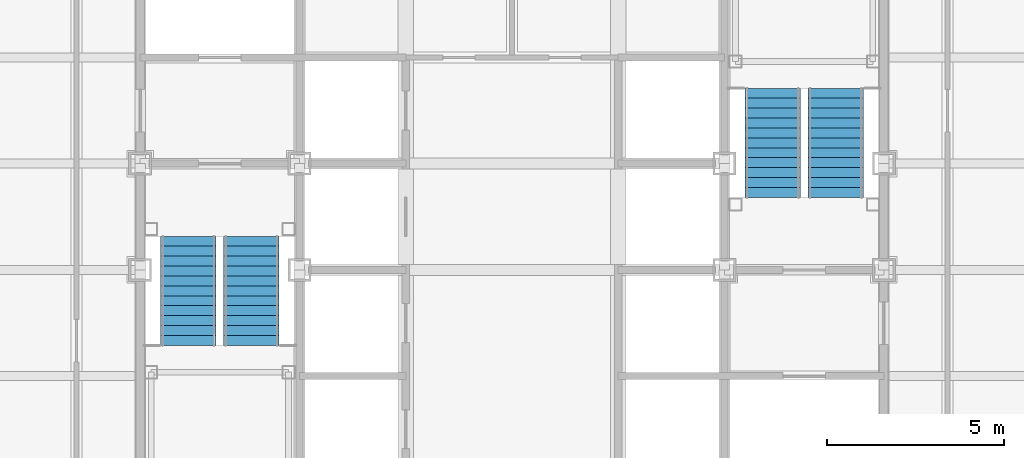
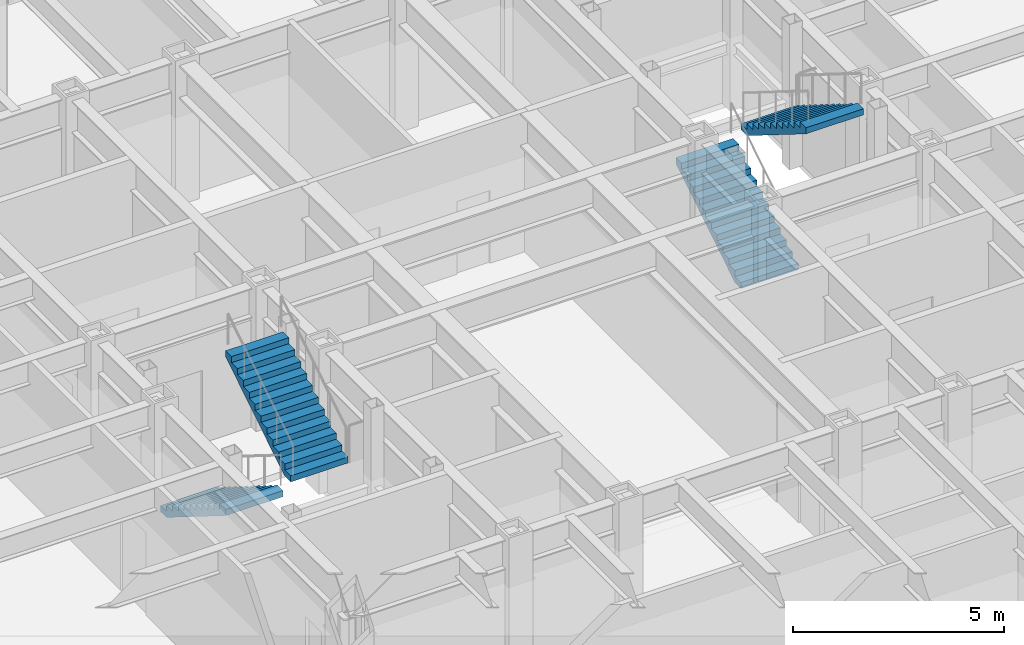
# One storey, part 13 of 16: 4 stair flights, 2 elements without a shape of their own.
"""IFC4 building model written with IfcOpenShell, lengths in metres."""

from ifc_helpers import new_model, si_unit, direction, frame, origin, place, context, subcontext, project, spatial, faceted_brep, material, type_object, element, aggregate, save


model = new_model("IFC4")

# Units and contexts
model_context = context("Model", 3, precision=1e-05, world=origin(), true_north=direction((0.0, 1.0)))
body_context = subcontext(model_context, "Body", "Model", "MODEL_VIEW")
ifc_project = project(units=[si_unit("LENGTHUNIT", "METRE"), si_unit("AREAUNIT", "SQUARE_METRE"), si_unit("VOLUMEUNIT", "CUBIC_METRE"), si_unit("PLANEANGLEUNIT", "RADIAN"), si_unit("MASSUNIT", "GRAM", prefix="KILO")], contexts=[model_context])

# Site, building, storey
site_placement = place(None, origin())
site = spatial("IfcSite", under=ifc_project, at=site_placement, CompositionType="ELEMENT")
building_placement = place(site_placement, origin())
building = spatial("IfcBuilding", under=site, at=building_placement, Name="Chuquiago Exchange Tower", CompositionType="ELEMENT")
storey_placement = place(building_placement, frame((0.0, 0.0, 157.199951171875)))
storey = spatial("IfcBuildingStorey", under=building, at=storey_placement, Name="L34", CompositionType="ELEMENT", Elevation=157.199951171875)

# Stair, stair flights
ifc_material_1 = material(Name="Concrete C30/37, precast", Category="concrete")
stair_type_1 = type_object("IfcStairType", Name="ST1 half-turn stair 4200", PredefinedType="HALF_TURN_STAIR", material=ifc_material_1)
stair_1_placement = place(storey_placement, origin())
stair_1 = element("IfcStair", 1, at=stair_1_placement, inside=storey, type_object=stair_type_1, Name="Stair ST1 L34", PredefinedType="HALF_TURN_STAIR")
ifc_material_2 = material(Name="Concrete C30/37, precast", Category="concrete")
stair_flight_type = type_object("IfcStairFlightType", Name="ST-F flight 1570 for 4200 storey", PredefinedType="STRAIGHT", material=ifc_material_2)
stair_flight_1_placement = place(storey_placement, frame((13.360107421875, 21.949951171875, 0.0), z_axis=(0.0, 0.0, 1.0), x_axis=(0.0, -1.0, 0.0)))
stair_flight_1 = element("IfcStairFlight", 2, at=stair_flight_1_placement, type_object=stair_flight_type, Name="ST1 flight 1", NumberOfRisers=12, NumberOfTreads=11, PredefinedType="STRAIGHT", RiserHeight=0.175, TreadLength=0.28, context=body_context, shape_type="Brep", body=[
    faceted_brep([(0.0, 0.78515625, 0.0), (0.0, 0.78515625, 0.175048828125), (0.280029296875, 0.78515625, 0.175048828125), (0.280029296875, 0.78515625, 0.35009765625), (0.56005859375, 0.78515625, 0.35009765625), (0.56005859375, 0.78515625, 0.52490234375), (0.840087890625, 0.78515625, 0.52490234375), (0.840087890625, 0.78515625, 0.699951171875), (1.1201171875, 0.78515625, 0.699951171875), (1.1201171875, 0.78515625, 0.875), (1.39990234375, 0.78515625, 0.875), (1.39990234375, 0.78515625, 1.050048828125), (1.679931640625, 0.78515625, 1.050048828125), (1.679931640625, 0.78515625, 1.22509765625), (1.9599609375, 0.78515625, 1.22509765625), (1.9599609375, 0.78515625, 1.39990234375), (2.239990234375, 0.78515625, 1.39990234375), (2.239990234375, 0.78515625, 1.574951171875), (2.52001953125, 0.78515625, 1.574951171875), (2.52001953125, 0.78515625, 1.75), (2.800048828125, 0.78515625, 1.75), (2.800048828125, 0.78515625, 1.925048828125), (3.080078125, 0.78515625, 1.925048828125), (3.080078125, 0.78515625, 1.748291015625), (0.28271484375, 0.78515625, 0.0), (0.28271484375, -0.78515625, 0.0), (3.080078125, -0.78515625, 1.748291015625), (3.080078125, -0.78515625, 1.925048828125), (2.800048828125, -0.78515625, 1.925048828125), (2.800048828125, -0.78515625, 1.75), (2.52001953125, -0.78515625, 1.75), (2.52001953125, -0.78515625, 1.574951171875), (2.239990234375, -0.78515625, 1.574951171875), (2.239990234375, -0.78515625, 1.39990234375), (1.9599609375, -0.78515625, 1.39990234375), (1.9599609375, -0.78515625, 1.22509765625), (1.679931640625, -0.78515625, 1.22509765625), (1.679931640625, -0.78515625, 1.050048828125), (1.39990234375, -0.78515625, 1.050048828125), (1.39990234375, -0.78515625, 0.875), (1.1201171875, -0.78515625, 0.875), (1.1201171875, -0.78515625, 0.699951171875), (0.840087890625, -0.78515625, 0.699951171875), (0.840087890625, -0.78515625, 0.52490234375), (0.56005859375, -0.78515625, 0.52490234375), (0.56005859375, -0.78515625, 0.35009765625), (0.280029296875, -0.78515625, 0.35009765625), (0.280029296875, -0.78515625, 0.175048828125), (0.0, -0.78515625, 0.175048828125), (0.0, -0.78515625, 0.0), (0.0, 0.392578125, 0.0), (0.0, 0.392578125, 0.175048828125), (0.0, 0.0, 0.0), (0.0, 0.0, 0.175048828125), (0.0, -0.392578125, 0.0), (0.0, -0.392578125, 0.175048828125), (0.280029296875, 0.392578125, 0.175048828125), (0.280029296875, 0.0, 0.175048828125), (0.280029296875, -0.392578125, 0.175048828125), (0.280029296875, 0.392578125, 0.35009765625), (0.280029296875, 0.0, 0.35009765625), (0.280029296875, -0.392578125, 0.35009765625), (0.56005859375, 0.392578125, 0.35009765625), (0.56005859375, 0.0, 0.35009765625), (0.56005859375, -0.392578125, 0.35009765625), (0.56005859375, 0.392578125, 0.52490234375), (0.56005859375, 0.0, 0.52490234375), (0.56005859375, -0.392578125, 0.52490234375), (0.840087890625, 0.392578125, 0.52490234375), (0.840087890625, 0.0, 0.52490234375), (0.840087890625, -0.392578125, 0.52490234375), (0.840087890625, 0.392578125, 0.699951171875), (0.840087890625, 0.0, 0.699951171875), (0.840087890625, -0.392578125, 0.699951171875), (1.1201171875, 0.392578125, 0.699951171875), (1.1201171875, 0.0, 0.699951171875), (1.1201171875, -0.392578125, 0.699951171875), (1.1201171875, 0.392578125, 0.875), (1.1201171875, 0.0, 0.875), (1.1201171875, -0.392578125, 0.875), (1.39990234375, 0.392578125, 0.875), (1.39990234375, 0.0, 0.875), (1.39990234375, -0.392578125, 0.875), (1.39990234375, 0.392578125, 1.050048828125), (1.39990234375, 0.0, 1.050048828125), (1.39990234375, -0.392578125, 1.050048828125), (1.679931640625, 0.392578125, 1.050048828125), (1.679931640625, 0.0, 1.050048828125), (1.679931640625, -0.392578125, 1.050048828125), (1.679931640625, 0.392578125, 1.22509765625), (1.679931640625, 0.0, 1.22509765625), (1.679931640625, -0.392578125, 1.22509765625), (1.9599609375, 0.392578125, 1.22509765625), (1.9599609375, 0.0, 1.22509765625), (1.9599609375, -0.392578125, 1.22509765625), (1.9599609375, 0.392578125, 1.39990234375), (1.9599609375, 0.0, 1.39990234375), (1.9599609375, -0.392578125, 1.39990234375), (2.239990234375, 0.392578125, 1.39990234375), (2.239990234375, 0.0, 1.39990234375), (2.239990234375, -0.392578125, 1.39990234375), (2.239990234375, 0.392578125, 1.574951171875), (2.239990234375, 0.0, 1.574951171875), (2.239990234375, -0.392578125, 1.574951171875), (2.52001953125, 0.392578125, 1.574951171875), (2.52001953125, 0.0, 1.574951171875), (2.52001953125, -0.392578125, 1.574951171875), (2.52001953125, 0.392578125, 1.75), (2.52001953125, 0.0, 1.75), (2.52001953125, -0.392578125, 1.75), (2.800048828125, 0.392578125, 1.75), (2.800048828125, 0.0, 1.75), (2.800048828125, -0.392578125, 1.75), (2.800048828125, 0.392578125, 1.925048828125), (2.800048828125, 0.0, 1.925048828125), (2.800048828125, -0.392578125, 1.925048828125), (3.080078125, 0.392578125, 1.925048828125), (3.080078125, 0.0, 1.925048828125), (3.080078125, -0.392578125, 1.925048828125), (3.080078125, 0.392578125, 1.748291015625), (3.080078125, 0.0, 1.748291015625), (3.080078125, -0.392578125, 1.748291015625), (0.28271484375, 0.392578125, 0.0), (0.28271484375, 0.0, 0.0), (0.28271484375, -0.392578125, 0.0)], [[[0, 1, 2, 3, 4, 5, 6, 7, 8, 9, 10, 11, 12, 13, 14, 15, 16, 17, 18, 19, 20, 21, 22, 23, 24]], [[25, 26, 27, 28, 29, 30, 31, 32, 33, 34, 35, 36, 37, 38, 39, 40, 41, 42, 43, 44, 45, 46, 47, 48, 49]], [[1, 0, 50, 51]], [[51, 50, 52, 53]], [[53, 52, 54, 55]], [[55, 54, 49, 48]], [[2, 1, 51, 56]], [[56, 51, 53, 57]], [[57, 53, 55, 58]], [[58, 55, 48, 47]], [[3, 2, 56, 59]], [[59, 56, 57, 60]], [[60, 57, 58, 61]], [[61, 58, 47, 46]], [[4, 3, 59, 62]], [[62, 59, 60, 63]], [[63, 60, 61, 64]], [[64, 61, 46, 45]], [[5, 4, 62, 65]], [[65, 62, 63, 66]], [[66, 63, 64, 67]], [[67, 64, 45, 44]], [[6, 5, 65, 68]], [[68, 65, 66, 69]], [[69, 66, 67, 70]], [[70, 67, 44, 43]], [[7, 6, 68, 71]], [[71, 68, 69, 72]], [[72, 69, 70, 73]], [[73, 70, 43, 42]], [[8, 7, 71, 74]], [[74, 71, 72, 75]], [[75, 72, 73, 76]], [[76, 73, 42, 41]], [[9, 8, 74, 77]], [[77, 74, 75, 78]], [[78, 75, 76, 79]], [[79, 76, 41, 40]], [[10, 9, 77, 80]], [[80, 77, 78, 81]], [[81, 78, 79, 82]], [[82, 79, 40, 39]], [[11, 10, 80, 83]], [[83, 80, 81, 84]], [[84, 81, 82, 85]], [[85, 82, 39, 38]], [[12, 11, 83, 86]], [[86, 83, 84, 87]], [[87, 84, 85, 88]], [[88, 85, 38, 37]], [[13, 12, 86, 89]], [[89, 86, 87, 90]], [[90, 87, 88, 91]], [[91, 88, 37, 36]], [[14, 13, 89, 92]], [[92, 89, 90, 93]], [[93, 90, 91, 94]], [[94, 91, 36, 35]], [[15, 14, 92, 95]], [[95, 92, 93, 96]], [[96, 93, 94, 97]], [[97, 94, 35, 34]], [[16, 15, 95, 98]], [[98, 95, 96, 99]], [[99, 96, 97, 100]], [[100, 97, 34, 33]], [[17, 16, 98, 101]], [[101, 98, 99, 102]], [[102, 99, 100, 103]], [[103, 100, 33, 32]], [[18, 17, 101, 104]], [[104, 101, 102, 105]], [[105, 102, 103, 106]], [[106, 103, 32, 31]], [[19, 18, 104, 107]], [[107, 104, 105, 108]], [[108, 105, 106, 109]], [[109, 106, 31, 30]], [[20, 19, 107, 110]], [[110, 107, 108, 111]], [[111, 108, 109, 112]], [[112, 109, 30, 29]], [[21, 20, 110, 113]], [[113, 110, 111, 114]], [[114, 111, 112, 115]], [[115, 112, 29, 28]], [[22, 21, 113, 116]], [[116, 113, 114, 117]], [[117, 114, 115, 118]], [[118, 115, 28, 27]], [[23, 22, 116, 119]], [[119, 116, 117, 120]], [[120, 117, 118, 121]], [[121, 118, 27, 26]], [[24, 23, 119, 122]], [[122, 119, 120, 123]], [[123, 120, 121, 124]], [[124, 121, 26, 25]], [[0, 24, 122, 50]], [[50, 122, 123, 52]], [[52, 123, 124, 54]], [[54, 124, 25, 49]]]),
])
stair_flight_2_placement = place(storey_placement, frame((15.139892578125, 18.8701171875, 2.10009765625), z_axis=(0.0, 0.0, 1.0), x_axis=(0.0, 1.0, 0.0)))
stair_flight_2 = element("IfcStairFlight", 3, at=stair_flight_2_placement, type_object=stair_flight_type, Name="ST1 flight 2", NumberOfRisers=12, NumberOfTreads=11, PredefinedType="STRAIGHT", RiserHeight=0.175, TreadLength=0.28, context=body_context, shape_type="Brep", body=[
    faceted_brep([(0.0, 0.78515625, 0.0), (0.0, 0.78515625, 0.175048828125), (0.280029296875, 0.78515625, 0.175048828125), (0.280029296875, 0.78515625, 0.35009765625), (0.56005859375, 0.78515625, 0.35009765625), (0.56005859375, 0.78515625, 0.52490234375), (0.840087890625, 0.78515625, 0.52490234375), (0.840087890625, 0.78515625, 0.699951171875), (1.1201171875, 0.78515625, 0.699951171875), (1.1201171875, 0.78515625, 0.875), (1.39990234375, 0.78515625, 0.875), (1.39990234375, 0.78515625, 1.050048828125), (1.679931640625, 0.78515625, 1.050048828125), (1.679931640625, 0.78515625, 1.22509765625), (1.9599609375, 0.78515625, 1.22509765625), (1.9599609375, 0.78515625, 1.39990234375), (2.239990234375, 0.78515625, 1.39990234375), (2.239990234375, 0.78515625, 1.574951171875), (2.52001953125, 0.78515625, 1.574951171875), (2.52001953125, 0.78515625, 1.75), (2.800048828125, 0.78515625, 1.75), (2.800048828125, 0.78515625, 1.925048828125), (3.080078125, 0.78515625, 1.925048828125), (3.080078125, 0.78515625, 1.748291015625), (0.28271484375, 0.78515625, 0.0), (0.28271484375, -0.78515625, 0.0), (3.080078125, -0.78515625, 1.748291015625), (3.080078125, -0.78515625, 1.925048828125), (2.800048828125, -0.78515625, 1.925048828125), (2.800048828125, -0.78515625, 1.75), (2.52001953125, -0.78515625, 1.75), (2.52001953125, -0.78515625, 1.574951171875), (2.239990234375, -0.78515625, 1.574951171875), (2.239990234375, -0.78515625, 1.39990234375), (1.9599609375, -0.78515625, 1.39990234375), (1.9599609375, -0.78515625, 1.22509765625), (1.679931640625, -0.78515625, 1.22509765625), (1.679931640625, -0.78515625, 1.050048828125), (1.39990234375, -0.78515625, 1.050048828125), (1.39990234375, -0.78515625, 0.875), (1.1201171875, -0.78515625, 0.875), (1.1201171875, -0.78515625, 0.699951171875), (0.840087890625, -0.78515625, 0.699951171875), (0.840087890625, -0.78515625, 0.52490234375), (0.56005859375, -0.78515625, 0.52490234375), (0.56005859375, -0.78515625, 0.35009765625), (0.280029296875, -0.78515625, 0.35009765625), (0.280029296875, -0.78515625, 0.175048828125), (0.0, -0.78515625, 0.175048828125), (0.0, -0.78515625, 0.0), (0.0, 0.392578125, 0.0), (0.0, 0.392578125, 0.175048828125), (0.0, 0.0, 0.0), (0.0, 0.0, 0.175048828125), (0.0, -0.392578125, 0.0), (0.0, -0.392578125, 0.175048828125), (0.280029296875, 0.392578125, 0.175048828125), (0.280029296875, 0.0, 0.175048828125), (0.280029296875, -0.392578125, 0.175048828125), (0.280029296875, 0.392578125, 0.35009765625), (0.280029296875, 0.0, 0.35009765625), (0.280029296875, -0.392578125, 0.35009765625), (0.56005859375, 0.392578125, 0.35009765625), (0.56005859375, 0.0, 0.35009765625), (0.56005859375, -0.392578125, 0.35009765625), (0.56005859375, 0.392578125, 0.52490234375), (0.56005859375, 0.0, 0.52490234375), (0.56005859375, -0.392578125, 0.52490234375), (0.840087890625, 0.392578125, 0.52490234375), (0.840087890625, 0.0, 0.52490234375), (0.840087890625, -0.392578125, 0.52490234375), (0.840087890625, 0.392578125, 0.699951171875), (0.840087890625, 0.0, 0.699951171875), (0.840087890625, -0.392578125, 0.699951171875), (1.1201171875, 0.392578125, 0.699951171875), (1.1201171875, 0.0, 0.699951171875), (1.1201171875, -0.392578125, 0.699951171875), (1.1201171875, 0.392578125, 0.875), (1.1201171875, 0.0, 0.875), (1.1201171875, -0.392578125, 0.875), (1.39990234375, 0.392578125, 0.875), (1.39990234375, 0.0, 0.875), (1.39990234375, -0.392578125, 0.875), (1.39990234375, 0.392578125, 1.050048828125), (1.39990234375, 0.0, 1.050048828125), (1.39990234375, -0.392578125, 1.050048828125), (1.679931640625, 0.392578125, 1.050048828125), (1.679931640625, 0.0, 1.050048828125), (1.679931640625, -0.392578125, 1.050048828125), (1.679931640625, 0.392578125, 1.22509765625), (1.679931640625, 0.0, 1.22509765625), (1.679931640625, -0.392578125, 1.22509765625), (1.9599609375, 0.392578125, 1.22509765625), (1.9599609375, 0.0, 1.22509765625), (1.9599609375, -0.392578125, 1.22509765625), (1.9599609375, 0.392578125, 1.39990234375), (1.9599609375, 0.0, 1.39990234375), (1.9599609375, -0.392578125, 1.39990234375), (2.239990234375, 0.392578125, 1.39990234375), (2.239990234375, 0.0, 1.39990234375), (2.239990234375, -0.392578125, 1.39990234375), (2.239990234375, 0.392578125, 1.574951171875), (2.239990234375, 0.0, 1.574951171875), (2.239990234375, -0.392578125, 1.574951171875), (2.52001953125, 0.392578125, 1.574951171875), (2.52001953125, 0.0, 1.574951171875), (2.52001953125, -0.392578125, 1.574951171875), (2.52001953125, 0.392578125, 1.75), (2.52001953125, 0.0, 1.75), (2.52001953125, -0.392578125, 1.75), (2.800048828125, 0.392578125, 1.75), (2.800048828125, 0.0, 1.75), (2.800048828125, -0.392578125, 1.75), (2.800048828125, 0.392578125, 1.925048828125), (2.800048828125, 0.0, 1.925048828125), (2.800048828125, -0.392578125, 1.925048828125), (3.080078125, 0.392578125, 1.925048828125), (3.080078125, 0.0, 1.925048828125), (3.080078125, -0.392578125, 1.925048828125), (3.080078125, 0.392578125, 1.748291015625), (3.080078125, 0.0, 1.748291015625), (3.080078125, -0.392578125, 1.748291015625), (0.28271484375, 0.392578125, 0.0), (0.28271484375, 0.0, 0.0), (0.28271484375, -0.392578125, 0.0)], [[[0, 1, 2, 3, 4, 5, 6, 7, 8, 9, 10, 11, 12, 13, 14, 15, 16, 17, 18, 19, 20, 21, 22, 23, 24]], [[25, 26, 27, 28, 29, 30, 31, 32, 33, 34, 35, 36, 37, 38, 39, 40, 41, 42, 43, 44, 45, 46, 47, 48, 49]], [[1, 0, 50, 51]], [[51, 50, 52, 53]], [[53, 52, 54, 55]], [[55, 54, 49, 48]], [[2, 1, 51, 56]], [[56, 51, 53, 57]], [[57, 53, 55, 58]], [[58, 55, 48, 47]], [[3, 2, 56, 59]], [[59, 56, 57, 60]], [[60, 57, 58, 61]], [[61, 58, 47, 46]], [[4, 3, 59, 62]], [[62, 59, 60, 63]], [[63, 60, 61, 64]], [[64, 61, 46, 45]], [[5, 4, 62, 65]], [[65, 62, 63, 66]], [[66, 63, 64, 67]], [[67, 64, 45, 44]], [[6, 5, 65, 68]], [[68, 65, 66, 69]], [[69, 66, 67, 70]], [[70, 67, 44, 43]], [[7, 6, 68, 71]], [[71, 68, 69, 72]], [[72, 69, 70, 73]], [[73, 70, 43, 42]], [[8, 7, 71, 74]], [[74, 71, 72, 75]], [[75, 72, 73, 76]], [[76, 73, 42, 41]], [[9, 8, 74, 77]], [[77, 74, 75, 78]], [[78, 75, 76, 79]], [[79, 76, 41, 40]], [[10, 9, 77, 80]], [[80, 77, 78, 81]], [[81, 78, 79, 82]], [[82, 79, 40, 39]], [[11, 10, 80, 83]], [[83, 80, 81, 84]], [[84, 81, 82, 85]], [[85, 82, 39, 38]], [[12, 11, 83, 86]], [[86, 83, 84, 87]], [[87, 84, 85, 88]], [[88, 85, 38, 37]], [[13, 12, 86, 89]], [[89, 86, 87, 90]], [[90, 87, 88, 91]], [[91, 88, 37, 36]], [[14, 13, 89, 92]], [[92, 89, 90, 93]], [[93, 90, 91, 94]], [[94, 91, 36, 35]], [[15, 14, 92, 95]], [[95, 92, 93, 96]], [[96, 93, 94, 97]], [[97, 94, 35, 34]], [[16, 15, 95, 98]], [[98, 95, 96, 99]], [[99, 96, 97, 100]], [[100, 97, 34, 33]], [[17, 16, 98, 101]], [[101, 98, 99, 102]], [[102, 99, 100, 103]], [[103, 100, 33, 32]], [[18, 17, 101, 104]], [[104, 101, 102, 105]], [[105, 102, 103, 106]], [[106, 103, 32, 31]], [[19, 18, 104, 107]], [[107, 104, 105, 108]], [[108, 105, 106, 109]], [[109, 106, 31, 30]], [[20, 19, 107, 110]], [[110, 107, 108, 111]], [[111, 108, 109, 112]], [[112, 109, 30, 29]], [[21, 20, 110, 113]], [[113, 110, 111, 114]], [[114, 111, 112, 115]], [[115, 112, 29, 28]], [[22, 21, 113, 116]], [[116, 113, 114, 117]], [[117, 114, 115, 118]], [[118, 115, 28, 27]], [[23, 22, 116, 119]], [[119, 116, 117, 120]], [[120, 117, 118, 121]], [[121, 118, 27, 26]], [[24, 23, 119, 122]], [[122, 119, 120, 123]], [[123, 120, 121, 124]], [[124, 121, 26, 25]], [[0, 24, 122, 50]], [[50, 122, 123, 52]], [[52, 123, 124, 54]], [[54, 124, 25, 49]]]),
])
aggregate(stair_1, [stair_flight_1, stair_flight_2])

ifc_material_3 = material(Name="Concrete C30/37, precast", Category="concrete")
stair_type_2 = type_object("IfcStairType", Name="ST2 half-turn stair 4200", PredefinedType="HALF_TURN_STAIR", material=ifc_material_3)
stair_2_placement = place(storey_placement, origin())
stair_2 = element("IfcStair", 4, at=stair_2_placement, inside=storey, type_object=stair_type_2, Name="Stair ST2 L34", PredefinedType="HALF_TURN_STAIR")
stair_flight_3_placement = place(storey_placement, frame((29.860107421875, 23.050048828125, 0.0), z_axis=(0.0, 0.0, 1.0), x_axis=(0.0, 1.0, 0.0)))
stair_flight_3 = element("IfcStairFlight", 5, at=stair_flight_3_placement, type_object=stair_flight_type, Name="ST2 flight 1", NumberOfRisers=12, NumberOfTreads=11, PredefinedType="STRAIGHT", RiserHeight=0.175, TreadLength=0.28, context=body_context, shape_type="Brep", body=[
    faceted_brep([(0.0, 0.78515625, 0.0), (0.0, 0.78515625, 0.175048828125), (0.280029296875, 0.78515625, 0.175048828125), (0.280029296875, 0.78515625, 0.35009765625), (0.56005859375, 0.78515625, 0.35009765625), (0.56005859375, 0.78515625, 0.52490234375), (0.840087890625, 0.78515625, 0.52490234375), (0.840087890625, 0.78515625, 0.699951171875), (1.1201171875, 0.78515625, 0.699951171875), (1.1201171875, 0.78515625, 0.875), (1.39990234375, 0.78515625, 0.875), (1.39990234375, 0.78515625, 1.050048828125), (1.679931640625, 0.78515625, 1.050048828125), (1.679931640625, 0.78515625, 1.22509765625), (1.9599609375, 0.78515625, 1.22509765625), (1.9599609375, 0.78515625, 1.39990234375), (2.239990234375, 0.78515625, 1.39990234375), (2.239990234375, 0.78515625, 1.574951171875), (2.52001953125, 0.78515625, 1.574951171875), (2.52001953125, 0.78515625, 1.75), (2.800048828125, 0.78515625, 1.75), (2.800048828125, 0.78515625, 1.925048828125), (3.080078125, 0.78515625, 1.925048828125), (3.080078125, 0.78515625, 1.748291015625), (0.28271484375, 0.78515625, 0.0), (0.28271484375, -0.78515625, 0.0), (3.080078125, -0.78515625, 1.748291015625), (3.080078125, -0.78515625, 1.925048828125), (2.800048828125, -0.78515625, 1.925048828125), (2.800048828125, -0.78515625, 1.75), (2.52001953125, -0.78515625, 1.75), (2.52001953125, -0.78515625, 1.574951171875), (2.239990234375, -0.78515625, 1.574951171875), (2.239990234375, -0.78515625, 1.39990234375), (1.9599609375, -0.78515625, 1.39990234375), (1.9599609375, -0.78515625, 1.22509765625), (1.679931640625, -0.78515625, 1.22509765625), (1.679931640625, -0.78515625, 1.050048828125), (1.39990234375, -0.78515625, 1.050048828125), (1.39990234375, -0.78515625, 0.875), (1.1201171875, -0.78515625, 0.875), (1.1201171875, -0.78515625, 0.699951171875), (0.840087890625, -0.78515625, 0.699951171875), (0.840087890625, -0.78515625, 0.52490234375), (0.56005859375, -0.78515625, 0.52490234375), (0.56005859375, -0.78515625, 0.35009765625), (0.280029296875, -0.78515625, 0.35009765625), (0.280029296875, -0.78515625, 0.175048828125), (0.0, -0.78515625, 0.175048828125), (0.0, -0.78515625, 0.0), (0.0, 0.392578125, 0.0), (0.0, 0.392578125, 0.175048828125), (0.0, 0.0, 0.0), (0.0, 0.0, 0.175048828125), (0.0, -0.392578125, 0.0), (0.0, -0.392578125, 0.175048828125), (0.280029296875, 0.392578125, 0.175048828125), (0.280029296875, 0.0, 0.175048828125), (0.280029296875, -0.392578125, 0.175048828125), (0.280029296875, 0.392578125, 0.35009765625), (0.280029296875, 0.0, 0.35009765625), (0.280029296875, -0.392578125, 0.35009765625), (0.56005859375, 0.392578125, 0.35009765625), (0.56005859375, 0.0, 0.35009765625), (0.56005859375, -0.392578125, 0.35009765625), (0.56005859375, 0.392578125, 0.52490234375), (0.56005859375, 0.0, 0.52490234375), (0.56005859375, -0.392578125, 0.52490234375), (0.840087890625, 0.392578125, 0.52490234375), (0.840087890625, 0.0, 0.52490234375), (0.840087890625, -0.392578125, 0.52490234375), (0.840087890625, 0.392578125, 0.699951171875), (0.840087890625, 0.0, 0.699951171875), (0.840087890625, -0.392578125, 0.699951171875), (1.1201171875, 0.392578125, 0.699951171875), (1.1201171875, 0.0, 0.699951171875), (1.1201171875, -0.392578125, 0.699951171875), (1.1201171875, 0.392578125, 0.875), (1.1201171875, 0.0, 0.875), (1.1201171875, -0.392578125, 0.875), (1.39990234375, 0.392578125, 0.875), (1.39990234375, 0.0, 0.875), (1.39990234375, -0.392578125, 0.875), (1.39990234375, 0.392578125, 1.050048828125), (1.39990234375, 0.0, 1.050048828125), (1.39990234375, -0.392578125, 1.050048828125), (1.679931640625, 0.392578125, 1.050048828125), (1.679931640625, 0.0, 1.050048828125), (1.679931640625, -0.392578125, 1.050048828125), (1.679931640625, 0.392578125, 1.22509765625), (1.679931640625, 0.0, 1.22509765625), (1.679931640625, -0.392578125, 1.22509765625), (1.9599609375, 0.392578125, 1.22509765625), (1.9599609375, 0.0, 1.22509765625), (1.9599609375, -0.392578125, 1.22509765625), (1.9599609375, 0.392578125, 1.39990234375), (1.9599609375, 0.0, 1.39990234375), (1.9599609375, -0.392578125, 1.39990234375), (2.239990234375, 0.392578125, 1.39990234375), (2.239990234375, 0.0, 1.39990234375), (2.239990234375, -0.392578125, 1.39990234375), (2.239990234375, 0.392578125, 1.574951171875), (2.239990234375, 0.0, 1.574951171875), (2.239990234375, -0.392578125, 1.574951171875), (2.52001953125, 0.392578125, 1.574951171875), (2.52001953125, 0.0, 1.574951171875), (2.52001953125, -0.392578125, 1.574951171875), (2.52001953125, 0.392578125, 1.75), (2.52001953125, 0.0, 1.75), (2.52001953125, -0.392578125, 1.75), (2.800048828125, 0.392578125, 1.75), (2.800048828125, 0.0, 1.75), (2.800048828125, -0.392578125, 1.75), (2.800048828125, 0.392578125, 1.925048828125), (2.800048828125, 0.0, 1.925048828125), (2.800048828125, -0.392578125, 1.925048828125), (3.080078125, 0.392578125, 1.925048828125), (3.080078125, 0.0, 1.925048828125), (3.080078125, -0.392578125, 1.925048828125), (3.080078125, 0.392578125, 1.748291015625), (3.080078125, 0.0, 1.748291015625), (3.080078125, -0.392578125, 1.748291015625), (0.28271484375, 0.392578125, 0.0), (0.28271484375, 0.0, 0.0), (0.28271484375, -0.392578125, 0.0)], [[[0, 1, 2, 3, 4, 5, 6, 7, 8, 9, 10, 11, 12, 13, 14, 15, 16, 17, 18, 19, 20, 21, 22, 23, 24]], [[25, 26, 27, 28, 29, 30, 31, 32, 33, 34, 35, 36, 37, 38, 39, 40, 41, 42, 43, 44, 45, 46, 47, 48, 49]], [[1, 0, 50, 51]], [[51, 50, 52, 53]], [[53, 52, 54, 55]], [[55, 54, 49, 48]], [[2, 1, 51, 56]], [[56, 51, 53, 57]], [[57, 53, 55, 58]], [[58, 55, 48, 47]], [[3, 2, 56, 59]], [[59, 56, 57, 60]], [[60, 57, 58, 61]], [[61, 58, 47, 46]], [[4, 3, 59, 62]], [[62, 59, 60, 63]], [[63, 60, 61, 64]], [[64, 61, 46, 45]], [[5, 4, 62, 65]], [[65, 62, 63, 66]], [[66, 63, 64, 67]], [[67, 64, 45, 44]], [[6, 5, 65, 68]], [[68, 65, 66, 69]], [[69, 66, 67, 70]], [[70, 67, 44, 43]], [[7, 6, 68, 71]], [[71, 68, 69, 72]], [[72, 69, 70, 73]], [[73, 70, 43, 42]], [[8, 7, 71, 74]], [[74, 71, 72, 75]], [[75, 72, 73, 76]], [[76, 73, 42, 41]], [[9, 8, 74, 77]], [[77, 74, 75, 78]], [[78, 75, 76, 79]], [[79, 76, 41, 40]], [[10, 9, 77, 80]], [[80, 77, 78, 81]], [[81, 78, 79, 82]], [[82, 79, 40, 39]], [[11, 10, 80, 83]], [[83, 80, 81, 84]], [[84, 81, 82, 85]], [[85, 82, 39, 38]], [[12, 11, 83, 86]], [[86, 83, 84, 87]], [[87, 84, 85, 88]], [[88, 85, 38, 37]], [[13, 12, 86, 89]], [[89, 86, 87, 90]], [[90, 87, 88, 91]], [[91, 88, 37, 36]], [[14, 13, 89, 92]], [[92, 89, 90, 93]], [[93, 90, 91, 94]], [[94, 91, 36, 35]], [[15, 14, 92, 95]], [[95, 92, 93, 96]], [[96, 93, 94, 97]], [[97, 94, 35, 34]], [[16, 15, 95, 98]], [[98, 95, 96, 99]], [[99, 96, 97, 100]], [[100, 97, 34, 33]], [[17, 16, 98, 101]], [[101, 98, 99, 102]], [[102, 99, 100, 103]], [[103, 100, 33, 32]], [[18, 17, 101, 104]], [[104, 101, 102, 105]], [[105, 102, 103, 106]], [[106, 103, 32, 31]], [[19, 18, 104, 107]], [[107, 104, 105, 108]], [[108, 105, 106, 109]], [[109, 106, 31, 30]], [[20, 19, 107, 110]], [[110, 107, 108, 111]], [[111, 108, 109, 112]], [[112, 109, 30, 29]], [[21, 20, 110, 113]], [[113, 110, 111, 114]], [[114, 111, 112, 115]], [[115, 112, 29, 28]], [[22, 21, 113, 116]], [[116, 113, 114, 117]], [[117, 114, 115, 118]], [[118, 115, 28, 27]], [[23, 22, 116, 119]], [[119, 116, 117, 120]], [[120, 117, 118, 121]], [[121, 118, 27, 26]], [[24, 23, 119, 122]], [[122, 119, 120, 123]], [[123, 120, 121, 124]], [[124, 121, 26, 25]], [[0, 24, 122, 50]], [[50, 122, 123, 52]], [[52, 123, 124, 54]], [[54, 124, 25, 49]]]),
])
stair_flight_4_placement = place(storey_placement, frame((31.639892578125, 26.1298828125, 2.10009765625), z_axis=(0.0, 0.0, 1.0), x_axis=(0.0, -1.0, 0.0)))
stair_flight_4 = element("IfcStairFlight", 6, at=stair_flight_4_placement, type_object=stair_flight_type, Name="ST2 flight 2", NumberOfRisers=12, NumberOfTreads=11, PredefinedType="STRAIGHT", RiserHeight=0.175, TreadLength=0.28, context=body_context, shape_type="Brep", body=[
    faceted_brep([(0.0, 0.78515625, 0.0), (0.0, 0.78515625, 0.175048828125), (0.280029296875, 0.78515625, 0.175048828125), (0.280029296875, 0.78515625, 0.35009765625), (0.56005859375, 0.78515625, 0.35009765625), (0.56005859375, 0.78515625, 0.52490234375), (0.840087890625, 0.78515625, 0.52490234375), (0.840087890625, 0.78515625, 0.699951171875), (1.1201171875, 0.78515625, 0.699951171875), (1.1201171875, 0.78515625, 0.875), (1.39990234375, 0.78515625, 0.875), (1.39990234375, 0.78515625, 1.050048828125), (1.679931640625, 0.78515625, 1.050048828125), (1.679931640625, 0.78515625, 1.22509765625), (1.9599609375, 0.78515625, 1.22509765625), (1.9599609375, 0.78515625, 1.39990234375), (2.239990234375, 0.78515625, 1.39990234375), (2.239990234375, 0.78515625, 1.574951171875), (2.52001953125, 0.78515625, 1.574951171875), (2.52001953125, 0.78515625, 1.75), (2.800048828125, 0.78515625, 1.75), (2.800048828125, 0.78515625, 1.925048828125), (3.080078125, 0.78515625, 1.925048828125), (3.080078125, 0.78515625, 1.748291015625), (0.28271484375, 0.78515625, 0.0), (0.28271484375, -0.78515625, 0.0), (3.080078125, -0.78515625, 1.748291015625), (3.080078125, -0.78515625, 1.925048828125), (2.800048828125, -0.78515625, 1.925048828125), (2.800048828125, -0.78515625, 1.75), (2.52001953125, -0.78515625, 1.75), (2.52001953125, -0.78515625, 1.574951171875), (2.239990234375, -0.78515625, 1.574951171875), (2.239990234375, -0.78515625, 1.39990234375), (1.9599609375, -0.78515625, 1.39990234375), (1.9599609375, -0.78515625, 1.22509765625), (1.679931640625, -0.78515625, 1.22509765625), (1.679931640625, -0.78515625, 1.050048828125), (1.39990234375, -0.78515625, 1.050048828125), (1.39990234375, -0.78515625, 0.875), (1.1201171875, -0.78515625, 0.875), (1.1201171875, -0.78515625, 0.699951171875), (0.840087890625, -0.78515625, 0.699951171875), (0.840087890625, -0.78515625, 0.52490234375), (0.56005859375, -0.78515625, 0.52490234375), (0.56005859375, -0.78515625, 0.35009765625), (0.280029296875, -0.78515625, 0.35009765625), (0.280029296875, -0.78515625, 0.175048828125), (0.0, -0.78515625, 0.175048828125), (0.0, -0.78515625, 0.0), (0.0, 0.392578125, 0.0), (0.0, 0.392578125, 0.175048828125), (0.0, 0.0, 0.0), (0.0, 0.0, 0.175048828125), (0.0, -0.392578125, 0.0), (0.0, -0.392578125, 0.175048828125), (0.280029296875, 0.392578125, 0.175048828125), (0.280029296875, 0.0, 0.175048828125), (0.280029296875, -0.392578125, 0.175048828125), (0.280029296875, 0.392578125, 0.35009765625), (0.280029296875, 0.0, 0.35009765625), (0.280029296875, -0.392578125, 0.35009765625), (0.56005859375, 0.392578125, 0.35009765625), (0.56005859375, 0.0, 0.35009765625), (0.56005859375, -0.392578125, 0.35009765625), (0.56005859375, 0.392578125, 0.52490234375), (0.56005859375, 0.0, 0.52490234375), (0.56005859375, -0.392578125, 0.52490234375), (0.840087890625, 0.392578125, 0.52490234375), (0.840087890625, 0.0, 0.52490234375), (0.840087890625, -0.392578125, 0.52490234375), (0.840087890625, 0.392578125, 0.699951171875), (0.840087890625, 0.0, 0.699951171875), (0.840087890625, -0.392578125, 0.699951171875), (1.1201171875, 0.392578125, 0.699951171875), (1.1201171875, 0.0, 0.699951171875), (1.1201171875, -0.392578125, 0.699951171875), (1.1201171875, 0.392578125, 0.875), (1.1201171875, 0.0, 0.875), (1.1201171875, -0.392578125, 0.875), (1.39990234375, 0.392578125, 0.875), (1.39990234375, 0.0, 0.875), (1.39990234375, -0.392578125, 0.875), (1.39990234375, 0.392578125, 1.050048828125), (1.39990234375, 0.0, 1.050048828125), (1.39990234375, -0.392578125, 1.050048828125), (1.679931640625, 0.392578125, 1.050048828125), (1.679931640625, 0.0, 1.050048828125), (1.679931640625, -0.392578125, 1.050048828125), (1.679931640625, 0.392578125, 1.22509765625), (1.679931640625, 0.0, 1.22509765625), (1.679931640625, -0.392578125, 1.22509765625), (1.9599609375, 0.392578125, 1.22509765625), (1.9599609375, 0.0, 1.22509765625), (1.9599609375, -0.392578125, 1.22509765625), (1.9599609375, 0.392578125, 1.39990234375), (1.9599609375, 0.0, 1.39990234375), (1.9599609375, -0.392578125, 1.39990234375), (2.239990234375, 0.392578125, 1.39990234375), (2.239990234375, 0.0, 1.39990234375), (2.239990234375, -0.392578125, 1.39990234375), (2.239990234375, 0.392578125, 1.574951171875), (2.239990234375, 0.0, 1.574951171875), (2.239990234375, -0.392578125, 1.574951171875), (2.52001953125, 0.392578125, 1.574951171875), (2.52001953125, 0.0, 1.574951171875), (2.52001953125, -0.392578125, 1.574951171875), (2.52001953125, 0.392578125, 1.75), (2.52001953125, 0.0, 1.75), (2.52001953125, -0.392578125, 1.75), (2.800048828125, 0.392578125, 1.75), (2.800048828125, 0.0, 1.75), (2.800048828125, -0.392578125, 1.75), (2.800048828125, 0.392578125, 1.925048828125), (2.800048828125, 0.0, 1.925048828125), (2.800048828125, -0.392578125, 1.925048828125), (3.080078125, 0.392578125, 1.925048828125), (3.080078125, 0.0, 1.925048828125), (3.080078125, -0.392578125, 1.925048828125), (3.080078125, 0.392578125, 1.748291015625), (3.080078125, 0.0, 1.748291015625), (3.080078125, -0.392578125, 1.748291015625), (0.28271484375, 0.392578125, 0.0), (0.28271484375, 0.0, 0.0), (0.28271484375, -0.392578125, 0.0)], [[[0, 1, 2, 3, 4, 5, 6, 7, 8, 9, 10, 11, 12, 13, 14, 15, 16, 17, 18, 19, 20, 21, 22, 23, 24]], [[25, 26, 27, 28, 29, 30, 31, 32, 33, 34, 35, 36, 37, 38, 39, 40, 41, 42, 43, 44, 45, 46, 47, 48, 49]], [[1, 0, 50, 51]], [[51, 50, 52, 53]], [[53, 52, 54, 55]], [[55, 54, 49, 48]], [[2, 1, 51, 56]], [[56, 51, 53, 57]], [[57, 53, 55, 58]], [[58, 55, 48, 47]], [[3, 2, 56, 59]], [[59, 56, 57, 60]], [[60, 57, 58, 61]], [[61, 58, 47, 46]], [[4, 3, 59, 62]], [[62, 59, 60, 63]], [[63, 60, 61, 64]], [[64, 61, 46, 45]], [[5, 4, 62, 65]], [[65, 62, 63, 66]], [[66, 63, 64, 67]], [[67, 64, 45, 44]], [[6, 5, 65, 68]], [[68, 65, 66, 69]], [[69, 66, 67, 70]], [[70, 67, 44, 43]], [[7, 6, 68, 71]], [[71, 68, 69, 72]], [[72, 69, 70, 73]], [[73, 70, 43, 42]], [[8, 7, 71, 74]], [[74, 71, 72, 75]], [[75, 72, 73, 76]], [[76, 73, 42, 41]], [[9, 8, 74, 77]], [[77, 74, 75, 78]], [[78, 75, 76, 79]], [[79, 76, 41, 40]], [[10, 9, 77, 80]], [[80, 77, 78, 81]], [[81, 78, 79, 82]], [[82, 79, 40, 39]], [[11, 10, 80, 83]], [[83, 80, 81, 84]], [[84, 81, 82, 85]], [[85, 82, 39, 38]], [[12, 11, 83, 86]], [[86, 83, 84, 87]], [[87, 84, 85, 88]], [[88, 85, 38, 37]], [[13, 12, 86, 89]], [[89, 86, 87, 90]], [[90, 87, 88, 91]], [[91, 88, 37, 36]], [[14, 13, 89, 92]], [[92, 89, 90, 93]], [[93, 90, 91, 94]], [[94, 91, 36, 35]], [[15, 14, 92, 95]], [[95, 92, 93, 96]], [[96, 93, 94, 97]], [[97, 94, 35, 34]], [[16, 15, 95, 98]], [[98, 95, 96, 99]], [[99, 96, 97, 100]], [[100, 97, 34, 33]], [[17, 16, 98, 101]], [[101, 98, 99, 102]], [[102, 99, 100, 103]], [[103, 100, 33, 32]], [[18, 17, 101, 104]], [[104, 101, 102, 105]], [[105, 102, 103, 106]], [[106, 103, 32, 31]], [[19, 18, 104, 107]], [[107, 104, 105, 108]], [[108, 105, 106, 109]], [[109, 106, 31, 30]], [[20, 19, 107, 110]], [[110, 107, 108, 111]], [[111, 108, 109, 112]], [[112, 109, 30, 29]], [[21, 20, 110, 113]], [[113, 110, 111, 114]], [[114, 111, 112, 115]], [[115, 112, 29, 28]], [[22, 21, 113, 116]], [[116, 113, 114, 117]], [[117, 114, 115, 118]], [[118, 115, 28, 27]], [[23, 22, 116, 119]], [[119, 116, 117, 120]], [[120, 117, 118, 121]], [[121, 118, 27, 26]], [[24, 23, 119, 122]], [[122, 119, 120, 123]], [[123, 120, 121, 124]], [[124, 121, 26, 25]], [[0, 24, 122, 50]], [[50, 122, 123, 52]], [[52, 123, 124, 54]], [[54, 124, 25, 49]]]),
])
aggregate(stair_2, [stair_flight_3, stair_flight_4])

save(model, "model.ifc")
